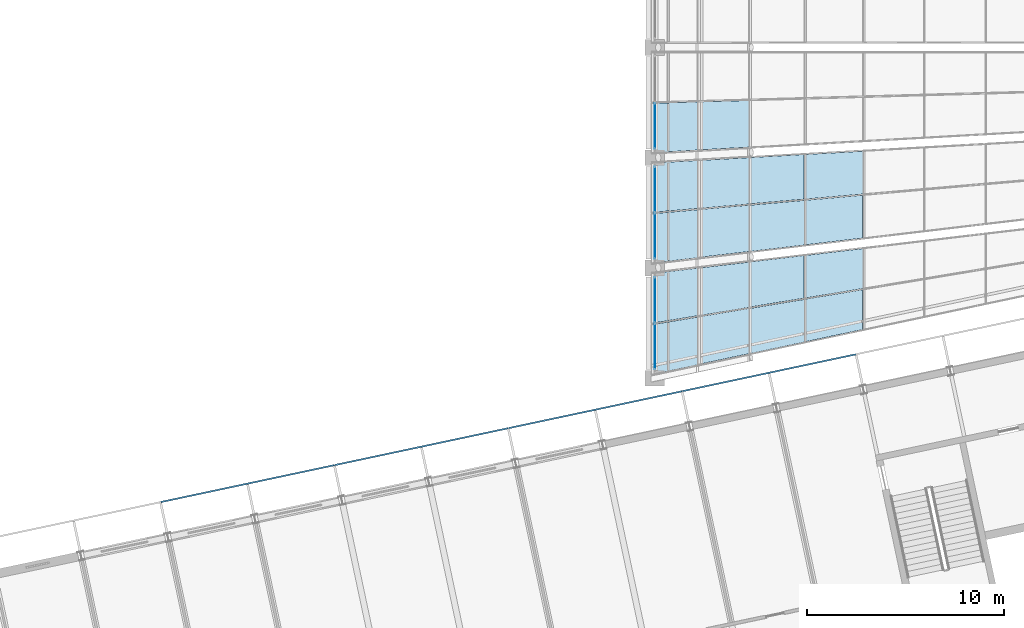
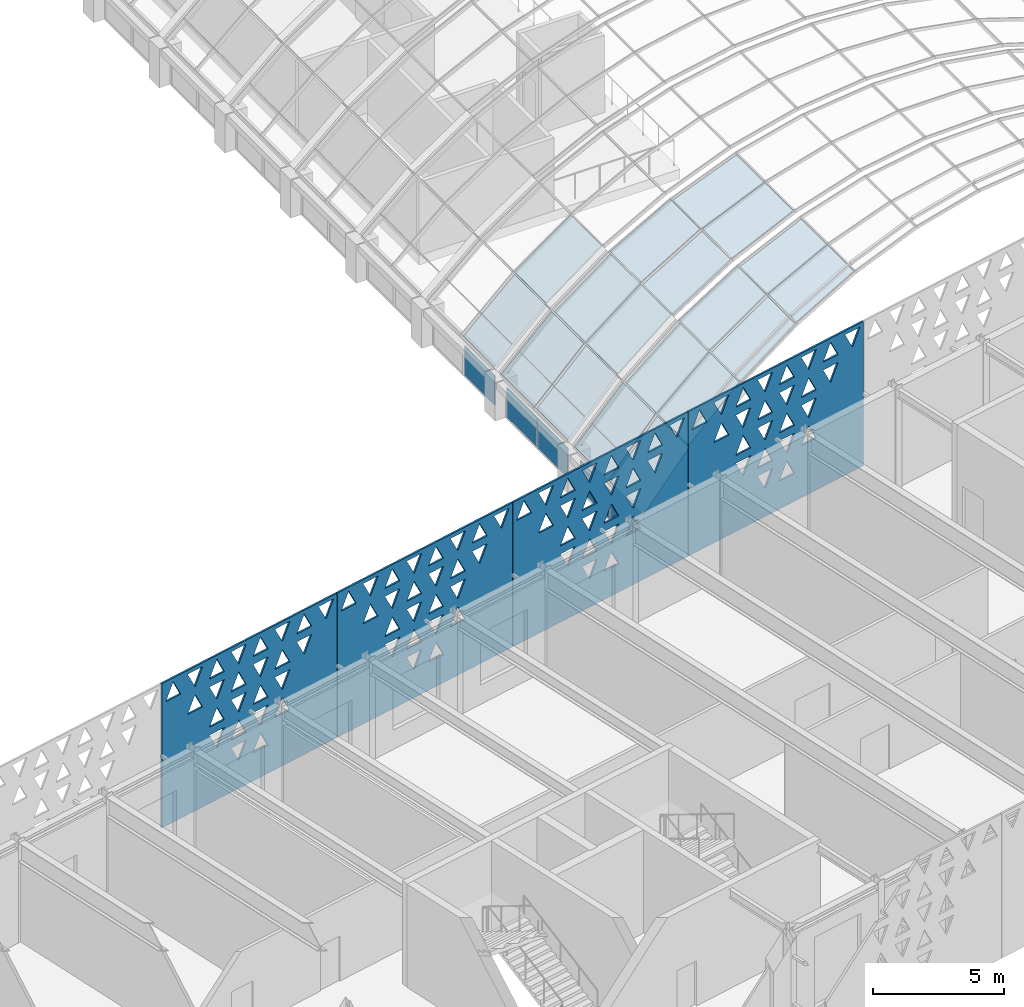
# One storey, part 101 of 182: 27 plates, 6 elements without a shape of their own.
"""IFC4 building model written with IfcOpenShell, lengths in metres."""

import ifcopenshell
import ifcopenshell.guid

model = None  # the IFC model being written
_history = None  # IfcOwnerHistory: only IFC2X3 demands one
_inside = {}  # id of a spatial element -> (the spatial element, [elements in it])
_under = {}  # id of a project, library or spatial element -> (it, [spatial elements below it])
_declared = {}  # id of a project -> (the project, [libraries it declares])
_typed = {}  # id of a type object -> (the type object, [elements of that type])
_made_of = {}  # id of a material, layer set ... -> (it, [elements and type objects made of it])


def new_model(schema):
    """Start an empty IFC model of exactly this schema.

    Asked for "IFC4X3", IfcOpenShell would pick the latest addendum, in which some entities
    have other attributes; the version numbers below select the first issue.
    IFC2X3 requires an IfcOwnerHistory on every rooted entity: one is made here for all.
    """
    global model, _history
    if schema == "IFC4X3":
        model = ifcopenshell.file(schema_version=(4, 3, 0, 0))
    else:
        model = ifcopenshell.file(schema=schema)
    _inside.clear()
    _under.clear()
    _declared.clear()
    _typed.clear()
    _made_of.clear()
    _history = None
    if model.schema == "IFC2X3":
        org = make("IfcOrganization", Name="unknown")
        user = make(
            "IfcPersonAndOrganization",
            ThePerson=make("IfcPerson", FamilyName="unknown"),
            TheOrganization=org,
        )
        app = make(
            "IfcApplication",
            ApplicationDeveloper=org,
            Version="unknown",
            ApplicationFullName="unknown",
            ApplicationIdentifier="unknown",
        )
        _history = make(
            "IfcOwnerHistory",
            OwningUser=user,
            OwningApplication=app,
            ChangeAction="ADDED",
            CreationDate=0,
        )
    return model


def make(cls, **values):
    """One entity of the class cls with the attributes given. An attribute that is None is left unset."""
    return model.create_entity(
        cls, **{name: value for name, value in values.items() if value is not None}
    )


def rooted(cls, **values):
    """An entity with a GlobalId (a new one), such as an element, a storey or a relation."""
    return make(cls, GlobalId=ifcopenshell.guid.new(), OwnerHistory=_history, **values)


def si_unit(unit_type, name, prefix=None):
    """IfcSIUnit, for example si_unit("LENGTHUNIT", "METRE", prefix="MILLI")."""
    return make("IfcSIUnit", UnitType=unit_type, Prefix=prefix, Name=name)


def assignment(units):
    """IfcUnitAssignment: the units of a project."""
    return None if units is None else make("IfcUnitAssignment", Units=units)


def point(xyz):
    """IfcCartesianPoint."""
    return None if xyz is None else make("IfcCartesianPoint", Coordinates=xyz)


def direction(xyz):
    """IfcDirection."""
    return None if xyz is None else make("IfcDirection", DirectionRatios=xyz)


def frame(location, z_axis=None, x_axis=None):
    """IfcAxis2Placement3D, a coordinate frame: its origin and axes. An axis left out is left unset."""
    return make(
        "IfcAxis2Placement3D",
        Location=point(location),
        Axis=direction(z_axis),
        RefDirection=direction(x_axis),
    )


def frame_2d(location, x_axis=None):
    """IfcAxis2Placement2D, a coordinate frame in the plane: its origin and x axis."""
    return make(
        "IfcAxis2Placement2D", Location=point(location), RefDirection=direction(x_axis)
    )


def origin():
    """The frame at (0, 0, 0) with its axes left unset."""
    return frame((0.0, 0.0, 0.0))


def origin_2d():
    """The frame at (0, 0) in the plane with its x axis left unset."""
    return frame_2d((0.0, 0.0))


def place(relative_to, where):
    """IfcLocalPlacement: puts the frame where relative to a parent placement (None: the world)."""
    return make(
        "IfcLocalPlacement", PlacementRelTo=relative_to, RelativePlacement=where
    )


def context(
    kind, dimensions, precision=None, world=None, true_north=None, identifier=None
):
    """IfcGeometricRepresentationContext, for example the 3D "Model" context."""
    return make(
        "IfcGeometricRepresentationContext",
        ContextIdentifier=identifier,
        ContextType=kind,
        CoordinateSpaceDimension=dimensions,
        Precision=precision,
        WorldCoordinateSystem=world,
        TrueNorth=true_north,
    )


def subcontext(parent, identifier, kind, view, scale=None):
    """IfcGeometricRepresentationSubContext, for example "Body" below "Model"."""
    return make(
        "IfcGeometricRepresentationSubContext",
        ContextIdentifier=identifier,
        ContextType=kind,
        ParentContext=parent,
        TargetScale=scale,
        TargetView=view,
    )


def project(units=None, contexts=None):
    """IfcProject with its units and contexts."""
    return rooted(
        "IfcProject",
        Name="project",
        RepresentationContexts=contexts,
        UnitsInContext=assignment(units),
    )


def spatial(cls, under=None, at=None, **own):
    """A site, building, storey or space (cls), placed at a placement, below another one or the project."""
    s = rooted(cls, ObjectPlacement=at, **own)
    if under is not None:
        _under.setdefault(under.id(), (under, []))[1].append(s)
    return s


def polyline(points):
    """IfcPolyline through the points."""
    return make("IfcPolyline", Points=[point(p) for p in points])


def profile(cls, at=None, kind="AREA", **sizes):
    """A parametric profile (cls). Its sizes go by their IFC names, for example OverallWidth=200.0."""
    return make(cls, ProfileType=kind, Position=at, **sizes)


def rectangle(**sizes):
    """IfcRectangleProfileDef."""
    return profile("IfcRectangleProfileDef", **sizes)


def outline(outer, holes=None, kind="AREA"):
    """IfcArbitraryClosedProfileDef: a profile drawn as a closed curve; with holes, ...WithVoids."""
    if holes is None:
        return make("IfcArbitraryClosedProfileDef", ProfileType=kind, OuterCurve=outer)
    return make(
        "IfcArbitraryProfileDefWithVoids",
        ProfileType=kind,
        OuterCurve=outer,
        InnerCurves=holes,
    )


def extrude(swept, where, along, depth):
    """IfcExtrudedAreaSolid: the profile swept, set in the frame where, extruded along a direction by depth."""
    return make(
        "IfcExtrudedAreaSolid",
        SweptArea=swept,
        Position=where,
        ExtrudedDirection=direction(along),
        Depth=depth,
    )


def shape(context_of_items, identifier, shape_type, items):
    """IfcShapeRepresentation: the items that make up one representation, for example the "Body"."""
    return make(
        "IfcShapeRepresentation",
        ContextOfItems=context_of_items,
        RepresentationIdentifier=identifier,
        RepresentationType=shape_type,
        Items=items,
    )


def material(Name=None, Category=None):
    """IfcMaterial."""
    return make("IfcMaterial", Name=Name, Category=Category)


def layer(
    of_material, thickness, ventilated=None, Name=None, Category=None, Priority=None
):
    """IfcMaterialLayer: one layer of a wall or slab, of a material (None: an air gap)."""
    return make(
        "IfcMaterialLayer",
        Material=of_material,
        LayerThickness=thickness,
        IsVentilated=ventilated,
        Name=Name,
        Category=Category,
        Priority=Priority,
    )


def layer_set(layers, Name=None):
    """IfcMaterialLayerSet."""
    return make("IfcMaterialLayerSet", MaterialLayers=layers, LayerSetName=Name)


def made_of(thing, what):
    """Note that an element or type object is made of a material, layer set ...; save() writes the relation."""
    if what is not None:
        _made_of.setdefault(what.id(), (what, []))[1].append(thing)
    return thing


def type_object(cls, material=None, **own):
    """A type object (cls), such as IfcWallType, which elements share."""
    return made_of(rooted(cls, **own), material)


def element(
    cls,
    number,
    at=None,
    inside=None,
    cuts=None,
    type_object=None,
    material=None,
    context=None,
    identifier="Body",
    shape_type=None,
    held_by="IfcProductDefinitionShape",
    body=None,
    shapes=None,
    **own,
):
    """One element of the class cls, such as IfcWall. Its Tag is "e" and its number.

    at: its placement. inside: the storey or other place that contains it. cuts: it is an
    opening in that element (IfcRelVoidsElement). A single representation is given by context,
    identifier, shape_type and body (its items); several are given by shapes. held_by: the class
    of the entity that holds the representations. save() writes the other relations.
    """
    e = rooted(cls, Tag="e%d" % number, ObjectPlacement=at, **own)
    if body is not None:
        shapes = [shape(context, identifier, shape_type, body)]
    if shapes is not None:
        e.Representation = make(held_by, Representations=shapes)
    if inside is not None:
        _inside.setdefault(inside.id(), (inside, []))[1].append(e)
    if cuts is not None:
        rooted(
            "IfcRelVoidsElement", RelatingBuildingElement=cuts, RelatedOpeningElement=e
        )
    if type_object is not None:
        _typed.setdefault(type_object.id(), (type_object, []))[1].append(e)
    return made_of(e, material)


def aggregate(whole, parts):
    """IfcRelAggregates: a whole, such as a stair, and the parts it consists of."""
    return rooted("IfcRelAggregates", RelatingObject=whole, RelatedObjects=parts)


def save(model, path):
    """Write the relations noted so far, then the file.

    IfcRelAggregates (storeys below a building ...), IfcRelContainedInSpatialStructure (elements
    in a storey), IfcRelDefinesByType, IfcRelAssociatesMaterial and IfcRelDeclares: one each for
    every whole, place, type object, material and project.
    """
    for whole, parts in _under.values():
        aggregate(whole, parts)
    for where, things in _inside.values():
        rooted(
            "IfcRelContainedInSpatialStructure",
            RelatedElements=things,
            RelatingStructure=where,
        )
    for kind, things in _typed.values():
        rooted("IfcRelDefinesByType", RelatedObjects=things, RelatingType=kind)
    for what, things in _made_of.values():
        rooted("IfcRelAssociatesMaterial", RelatedObjects=things, RelatingMaterial=what)
    for by, libraries in _declared.values():
        rooted("IfcRelDeclares", RelatingContext=by, RelatedDefinitions=libraries)
    model.write(path)


model = new_model("IFC4")

# Units and contexts
model_context = context("Model", 3, precision=1e-05, world=origin(), true_north=direction((0.0, 1.0)))
body_context = subcontext(model_context, "Body", "Model", "MODEL_VIEW")
ifc_project = project(units=[si_unit("LENGTHUNIT", "METRE"), si_unit("AREAUNIT", "SQUARE_METRE"), si_unit("VOLUMEUNIT", "CUBIC_METRE"), si_unit("PLANEANGLEUNIT", "RADIAN"), si_unit("MASSUNIT", "GRAM", prefix="KILO")], contexts=[model_context])

# Site, building, storey
site_placement = place(None, origin())
site = spatial("IfcSite", under=ifc_project, at=site_placement, CompositionType="ELEMENT")
building_placement = place(site_placement, origin())
building = spatial("IfcBuilding", under=site, at=building_placement, Name="Okhra Congress Centre", CompositionType="ELEMENT")
storey_placement = place(building_placement, frame((0.0, 0.0, 7.199951171875)))
storey = spatial("IfcBuildingStorey", under=building, at=storey_placement, Name="L01", CompositionType="ELEMENT", Elevation=7.199951171875)

# Curtain wall, plates
ifc_material_1 = material(Name="Aluminium curtain wall, triple glazing", Category="aluminium")
curtain_wall_type_1 = type_object("IfcCurtainWallType", Name="Curtain wall 2100 module", PredefinedType="NOTDEFINED", material=ifc_material_1)
curtain_wall_1_placement = place(storey_placement, origin())
curtain_wall_1 = element("IfcCurtainWall", 1, at=curtain_wall_1_placement, inside=storey, type_object=curtain_wall_type_1, Name="West bay 1 clerestory glazing", PredefinedType="NOTDEFINED")
ifc_material_2 = material(Name="Triple glazing unit, low-e coating, argon fill", Category="glass")
ifc_layer_1 = layer(ifc_material_2, 0.028076171875)
ifc_layer_set_1 = layer_set([ifc_layer_1], Name="Curtain wall glazing unit 28")
plate_type_1 = type_object("IfcPlateType", Name="Curtain wall glazing unit 28", PredefinedType="CURTAIN_PANEL", material=ifc_layer_set_1)
plate_1_placement = place(storey_placement, frame((155.5, 75.858154296875, 0.06005859375), z_axis=(0.0, 0.0, 1.0), x_axis=(0.0, 1.0, 0.0)))
plate_1 = element("IfcPlate", 2, at=plate_1_placement, type_object=plate_type_1, Name="CW4 panel 1.1", PredefinedType="CURTAIN_PANEL", context=body_context, shape_type="SweptSolid", body=[
    extrude(rectangle(XDim=2.30224609375, YDim=0.028076171875, at=origin_2d()), origin(), (0.0, 0.0, 1.0), 1.3798828125),
])
plate_2_placement = place(storey_placement, frame((155.5, 78.22021484375, 0.06005859375), z_axis=(0.0, 0.0, 1.0), x_axis=(0.0, 1.0, 0.0)))
plate_2 = element("IfcPlate", 3, at=plate_2_placement, type_object=plate_type_1, Name="CW4 panel 2.1", PredefinedType="CURTAIN_PANEL", context=body_context, shape_type="SweptSolid", body=[
    extrude(rectangle(XDim=2.30224609375, YDim=0.028076171875, at=origin_2d()), origin(), (0.0, 0.0, 1.0), 1.3798828125),
])
aggregate(curtain_wall_1, [plate_1, plate_2])

curtain_wall_2_placement = place(storey_placement, origin())
curtain_wall_2 = element("IfcCurtainWall", 4, at=curtain_wall_2_placement, inside=storey, type_object=curtain_wall_type_1, Name="West bay 2 clerestory glazing", PredefinedType="NOTDEFINED")
plate_3_placement = place(storey_placement, frame((155.5, 81.4423828125, 0.06005859375), z_axis=(0.0, 0.0, 1.0), x_axis=(0.0, 1.0, 0.0)))
plate_3 = element("IfcPlate", 5, at=plate_3_placement, type_object=plate_type_1, Name="CW4 panel 1.1", PredefinedType="CURTAIN_PANEL", context=body_context, shape_type="SweptSolid", body=[
    extrude(rectangle(XDim=2.30224609375, YDim=0.028076171875, at=origin_2d()), origin(), (0.0, 0.0, 1.0), 1.3798828125),
])
plate_4_placement = place(storey_placement, frame((155.5, 83.8046875, 0.06005859375), z_axis=(0.0, 0.0, 1.0), x_axis=(0.0, 1.0, 0.0)))
plate_4 = element("IfcPlate", 6, at=plate_4_placement, type_object=plate_type_1, Name="CW4 panel 2.1", PredefinedType="CURTAIN_PANEL", context=body_context, shape_type="SweptSolid", body=[
    extrude(rectangle(XDim=2.30224609375, YDim=0.028076171875, at=origin_2d()), origin(), (0.0, 0.0, 1.0), 1.3798828125),
])
aggregate(curtain_wall_2, [plate_3, plate_4])

# Curtain wall, plate
curtain_wall_3_placement = place(storey_placement, origin())
curtain_wall_3 = element("IfcCurtainWall", 7, at=curtain_wall_3_placement, inside=storey, type_object=curtain_wall_type_1, Name="West bay 3 clerestory glazing", PredefinedType="NOTDEFINED")
plate_5_placement = place(storey_placement, frame((155.5, 87.02685546875, 0.06005859375), z_axis=(0.0, 0.0, 1.0), x_axis=(0.0, 1.0, 0.0)))
plate_5 = element("IfcPlate", 8, at=plate_5_placement, type_object=plate_type_1, Name="CW4 panel 1.1", PredefinedType="CURTAIN_PANEL", context=body_context, shape_type="SweptSolid", body=[
    extrude(rectangle(XDim=2.30224609375, YDim=0.028076171875, at=origin_2d()), origin(), (0.0, 0.0, 1.0), 1.3798828125),
])
aggregate(curtain_wall_3, [plate_5])

# Curtain wall, plates
ifc_material_3 = material(Name="Aluminium frame with triple glazing", Category="aluminium")
curtain_wall_type_2 = type_object("IfcCurtainWallType", Name="Glazed vault bay curtain wall", PredefinedType="NOTDEFINED", material=ifc_material_3)
curtain_wall_4_placement = place(storey_placement, origin())
curtain_wall_4 = element("IfcCurtainWall", 9, at=curtain_wall_4_placement, inside=storey, type_object=curtain_wall_type_2, Name="Vault glazing bay 1", PredefinedType="NOTDEFINED")
ifc_material_4 = material(Name="Laminated toughened glass unit, low-e coating", Category="glass")
ifc_layer_2 = layer(ifc_material_4, 0.035888671875)
ifc_layer_set_2 = layer_set([ifc_layer_2], Name="Laminated safety glazing unit 36 mm")
plate_type_2 = type_object("IfcPlateType", Name="Laminated safety glazing unit 36 mm", PredefinedType="CURTAIN_PANEL", material=ifc_layer_set_2)
plate_6_placement = place(storey_placement, frame((155.42919921875, 74.451171875, 1.907958984375), z_axis=(-0.663651964383, 0.0, 0.748041489605), x_axis=(0.738753864843, 0.157091339076, 0.655412113381)))
plate_6 = element("IfcPlate", 10, at=plate_6_placement, type_object=plate_type_2, Name="Vault glass panel 1.1.1", PredefinedType="CURTAIN_PANEL", context=body_context, shape_type="SweptSolid", body=[
    extrude(outline(polyline([(0.0, 0.0), (3.1051550748741557, 2.7755575615628914e-17), (3.4843450332341273, 2.383848578986253), (0.39618006168286707, 2.4906600405510266), (0.0, 0.0)])), origin(), (0.0, 0.0, -1.0), 0.035888671875),
])
plate_7_placement = place(storey_placement, frame((157.71533203125, 74.948974609375, 4.05078125), z_axis=(-0.55950430238, 0.0, 0.828827446226), x_axis=(0.816256402242, 0.17350642764, 0.551018153391)))
plate_7 = element("IfcPlate", 11, at=plate_7_placement, type_object=plate_type_2, Name="Vault glass panel 1.1.2", PredefinedType="CURTAIN_PANEL", context=body_context, shape_type="SweptSolid", body=[
    extrude(outline(polyline([(0.0, 0.0), (3.1139088647806448, 0.0), (3.51158424141284, 2.257228938849907), (0.41843176079812827, 2.37504340199823), (0.0, 0.0)])), origin(), (0.0, 0.0, -1.0), 0.035888671875),
])
plate_8_placement = place(storey_placement, frame((155.369384765625, 77.032958984375, 1.97509765625), z_axis=(-0.663696509452, 0.0, 0.748001967472), x_axis=(0.742328502977, 0.122931369799, 0.658662487156)))
plate_8 = element("IfcPlate", 12, at=plate_8_placement, type_object=plate_type_2, Name="Vault glass panel 1.2.1", PredefinedType="CURTAIN_PANEL", context=body_context, shape_type="SweptSolid", body=[
    extrude(outline(polyline([(0.0, 0.0), (3.090202387891453, -2.7755575615628914e-17), (3.38693638525568, 2.3955099680160097), (0.3100295532287313, 2.502843933408049), (0.0, 0.0)])), origin(), (0.0, 0.0, -1.0), 0.035888671875),
])
plate_9_placement = place(storey_placement, frame((157.765869140625, 77.420654296875, 3.976318359375), z_axis=(-0.559449609733, 0.0, 0.828864364157), x_axis=(0.821174313755, 0.135902731976, 0.554259139637)))
plate_9 = element("IfcPlate", 13, at=plate_9_placement, type_object=plate_type_2, Name="Vault glass panel 1.2.2", PredefinedType="CURTAIN_PANEL", context=body_context, shape_type="SweptSolid", body=[
    extrude(outline(polyline([(0.0, 0.0), (3.0952600492975644, 2.7755575615628914e-17), (3.4067480492459388, 2.2707275075290734), (0.32774589513102315, 2.389246518893501), (0.0, 0.0)])), origin(), (0.0, 0.0, -1.0), 0.035888671875),
])

curtain_wall_5_placement = place(storey_placement, origin())
curtain_wall_5 = element("IfcCurtainWall", 14, at=curtain_wall_5_placement, inside=storey, type_object=curtain_wall_type_2, Name="Vault glazing bay 2", PredefinedType="NOTDEFINED")
plate_10_placement = place(storey_placement, frame((155.42919921875, 80.083984375, 1.907958984375), z_axis=(-0.663651964383, 0.0, 0.748041489605), x_axis=(0.745122025647, 0.088263177367, 0.661061856725)))
plate_10 = element("IfcPlate", 15, at=plate_10_placement, type_object=plate_type_2, Name="Vault glass panel 2.1.1", PredefinedType="CURTAIN_PANEL", context=body_context, shape_type="SweptSolid", body=[
    extrude(outline(polyline([(0.0, 0.0), (3.0786169694943464, -1.3877787807814457e-17), (3.293090456881672, 2.4204480786247866), (0.22076568655512416, 2.491458913444282), (0.0, 0.0)])), origin(), (0.0, 0.0, -1.0), 0.035888671875),
])
plate_11_placement = place(storey_placement, frame((157.71533203125, 80.361328125, 4.05078125), z_axis=(-0.55950430238, 0.0, 0.828827446226), x_axis=(0.824856645602, 0.097769004003, 0.556823792651)))
plate_11 = element("IfcPlate", 16, at=plate_11_placement, type_object=plate_type_2, Name="Vault glass panel 2.1.2", PredefinedType="CURTAIN_PANEL", context=body_context, shape_type="SweptSolid", body=[
    extrude(outline(polyline([(0.0, 0.0), (3.0814421638317455, 2.7755575615628914e-17), (3.3111372628353464, 2.338109742074487), (0.2374287799842894, 2.4168323396461524), (0.0, 0.0)])), origin(), (0.0, 0.0, -1.0), 0.035888671875),
])
plate_12_placement = place(storey_placement, frame((155.369384765625, 82.645263671875, 1.97509765625), z_axis=(-0.663696509452, 0.0, 0.748001967472), x_axis=(0.746409429333, 0.065219470145, 0.662283462361)))
plate_12 = element("IfcPlate", 17, at=plate_12_placement, type_object=plate_type_2, Name="Vault glass panel 2.2.1", PredefinedType="CURTAIN_PANEL", context=body_context, shape_type="SweptSolid", body=[
    extrude(outline(polyline([(0.0, 0.0), (3.0733069845471306, 1.3877787807814457e-17), (3.231785838637191, 2.424758179884503), (0.16312828897344236, 2.4958954639723427), (0.0, 0.0)])), origin(), (0.0, 0.0, -1.0), 0.035888671875),
])
plate_13_placement = place(storey_placement, frame((157.765869140625, 82.849853515625, 3.976318359375), z_axis=(-0.559449609733, 0.0, 0.828864364157), x_axis=(0.826702335448, 0.072180618857, 0.557990328613)))
plate_13 = element("IfcPlate", 18, at=plate_13_placement, type_object=plate_type_2, Name="Vault glass panel 2.2.2", PredefinedType="CURTAIN_PANEL", context=body_context, shape_type="SweptSolid", body=[
    extrude(outline(polyline([(0.0, 0.0), (3.0745625576312174, -4.163336342344337e-17), (3.2441411941699982, 2.3432370965225746), (0.1752706140512015, 2.4218888249000865), (0.0, 0.0)])), origin(), (0.0, 0.0, -1.0), 0.035888671875),
])

curtain_wall_6_placement = place(storey_placement, origin())
curtain_wall_6 = element("IfcCurtainWall", 19, at=curtain_wall_6_placement, inside=storey, type_object=curtain_wall_type_2, Name="Vault glazing bay 3", PredefinedType="NOTDEFINED")
plate_14_placement = place(storey_placement, frame((155.42919921875, 85.673583984375, 1.907958984375), z_axis=(-0.663651964383, 0.0, 0.748041489605), x_axis=(0.747381474593, 0.041998448125, 0.663066408281)))
plate_14 = element("IfcPlate", 20, at=plate_14_placement, type_object=plate_type_2, Name="Vault glass panel 3.1.1", PredefinedType="CURTAIN_PANEL", context=body_context, shape_type="SweptSolid", body=[
    extrude(outline(polyline([(0.0, 0.0), (3.0693098377231074, 6.938893903907228e-18), (3.171670801501083, 2.4351054098646765), (0.10506789500479956, 2.4995016663210796), (0.0, 0.0)])), origin(), (0.0, 0.0, -1.0), 0.035888671875),
])
plate_15_placement = place(storey_placement, frame((157.71533203125, 85.80517578125, 4.05078125), z_axis=(-0.55950430238, 0.0, 0.828827446226), x_axis=(0.827926986024, 0.046601211585, 0.558896442011)))
plate_15 = element("IfcPlate", 21, at=plate_15_placement, type_object=plate_type_2, Name="Vault glass panel 3.1.2", PredefinedType="CURTAIN_PANEL", context=body_context, shape_type="SweptSolid", body=[
    extrude(outline(polyline([(0.0, 0.0), (3.0700147353356084, -3.469446951953614e-17), (3.180192013897069, 2.3616892198712502), (0.11351081249563162, 2.433144707420019), (0.0, 0.0)])), origin(), (0.0, 0.0, -1.0), 0.035888671875),
])
aggregate(curtain_wall_6, [plate_14, plate_15])

# Plates
ifc_material_5 = material(Name="Fired clay terracotta rainscreen panel, deep oxide-red glaze, non-combustible", Category="masonry")
ifc_layer_3 = layer(ifc_material_5, 0.080078125)
ifc_layer_set_3 = layer_set([ifc_layer_3], Name="Terracotta screen panel 8980x6720")
plate_type_3 = type_object("IfcPlateType", Name="Terracotta screen panel 8980x6720", PredefinedType="SHEET", material=ifc_layer_set_3)
plate_16_placement = place(storey_placement, frame((165.673583984375, 75.457763671875, 0.010009765625), z_axis=(0.0, 0.0, 1.0), x_axis=(-0.978150766104, -0.207896798366, 0.0)))
element("IfcPlate", 22, at=plate_16_placement, inside=storey, type_object=plate_type_3, Name="Screen panel N7 Tier 1", PredefinedType="SHEET", context=body_context, shape_type="SweptSolid", body=[
    extrude(outline(polyline([(0.0, 0.0), (8.980224609375, 0.0), (8.980224609375, 6.719970703125), (0.0, 6.719970703125), (0.0, 0.0)]), holes=[polyline([(3.536376953125, 1.303955078125), (4.3037109375, 1.303955078125), (3.919921875, 2.05615234375), (3.536376953125, 1.303955078125)]), polyline([(4.656494140625, 2.05615234375), (5.0400390625, 1.303955078125), (5.423583984375, 2.05615234375), (4.656494140625, 2.05615234375)]), polyline([(2.41650390625, 2.423828125), (3.18359375, 2.423828125), (2.800048828125, 3.176025390625), (2.41650390625, 2.423828125)]), polyline([(3.536376953125, 3.176025390625), (3.919921875, 2.423828125), (4.3037109375, 3.176025390625), (3.536376953125, 3.176025390625)]), polyline([(4.656494140625, 2.423828125), (5.423583984375, 2.423828125), (5.0400390625, 3.176025390625), (4.656494140625, 2.423828125)]), polyline([(5.7763671875, 3.176025390625), (6.159912109375, 2.423828125), (6.543701171875, 3.176025390625), (5.7763671875, 3.176025390625)]), polyline([(2.41650390625, 4.296142578125), (2.800048828125, 3.5439453125), (3.18359375, 4.296142578125), (2.41650390625, 4.296142578125)]), polyline([(3.536376953125, 3.5439453125), (4.3037109375, 3.5439453125), (3.919921875, 4.296142578125), (3.536376953125, 3.5439453125)]), polyline([(4.656494140625, 4.296142578125), (5.0400390625, 3.5439453125), (5.423583984375, 4.296142578125), (4.656494140625, 4.296142578125)]), polyline([(5.7763671875, 3.5439453125), (6.543701171875, 3.5439453125), (6.159912109375, 4.296142578125), (5.7763671875, 3.5439453125)]), polyline([(1.29638671875, 5.416015625), (1.679931640625, 4.663818359375), (2.0634765625, 5.416015625), (1.29638671875, 5.416015625)]), polyline([(2.41650390625, 4.663818359375), (3.18359375, 4.663818359375), (2.800048828125, 5.416015625), (2.41650390625, 4.663818359375)]), polyline([(3.536376953125, 5.416015625), (3.919921875, 4.663818359375), (4.3037109375, 5.416015625), (3.536376953125, 5.416015625)]), polyline([(4.656494140625, 4.663818359375), (5.423583984375, 4.663818359375), (5.0400390625, 5.416015625), (4.656494140625, 4.663818359375)]), polyline([(5.7763671875, 5.416015625), (6.159912109375, 4.663818359375), (6.543701171875, 5.416015625), (5.7763671875, 5.416015625)]), polyline([(6.896484375, 4.663818359375), (7.66357421875, 4.663818359375), (7.280029296875, 5.416015625), (6.896484375, 4.663818359375)]), polyline([(0.176513671875, 6.5361328125), (0.56005859375, 5.783935546875), (0.943603515625, 6.5361328125), (0.176513671875, 6.5361328125)]), polyline([(1.29638671875, 5.783935546875), (2.0634765625, 5.783935546875), (1.679931640625, 6.5361328125), (1.29638671875, 5.783935546875)]), polyline([(2.41650390625, 6.5361328125), (2.800048828125, 5.783935546875), (3.18359375, 6.5361328125), (2.41650390625, 6.5361328125)]), polyline([(3.536376953125, 5.783935546875), (4.3037109375, 5.783935546875), (3.919921875, 6.5361328125), (3.536376953125, 5.783935546875)]), polyline([(4.656494140625, 6.5361328125), (5.0400390625, 5.783935546875), (5.423583984375, 6.5361328125), (4.656494140625, 6.5361328125)]), polyline([(5.7763671875, 5.783935546875), (6.543701171875, 5.783935546875), (6.159912109375, 6.5361328125), (5.7763671875, 5.783935546875)]), polyline([(6.896484375, 6.5361328125), (7.280029296875, 5.783935546875), (7.66357421875, 6.5361328125), (6.896484375, 6.5361328125)]), polyline([(8.016357421875, 5.783935546875), (8.78369140625, 5.783935546875), (8.39990234375, 6.5361328125), (8.016357421875, 5.783935546875)])]), frame((0.0, 0.0400390625, 0.0), z_axis=(0.0, -1.0, 0.0), x_axis=(1.0, 0.0, 0.0)), (0.0, 0.0, 1.0), 0.080078125),
])
plate_17_placement = place(storey_placement, frame((156.8701171875, 73.586669921875, 0.010009765625), z_axis=(0.0, 0.0, 1.0), x_axis=(-0.978149591018, -0.207902327047, 0.0)))
element("IfcPlate", 23, at=plate_17_placement, inside=storey, type_object=plate_type_3, Name="Screen panel N8 Tier 1", PredefinedType="SHEET", context=body_context, shape_type="SweptSolid", body=[
    extrude(outline(polyline([(0.0, 0.0), (8.97998046875, 0.0), (8.97998046875, 6.719970703125), (0.0, 6.719970703125), (0.0, 0.0)]), holes=[polyline([(3.536376953125, 1.303955078125), (4.3037109375, 1.303955078125), (3.919921875, 2.05615234375), (3.536376953125, 1.303955078125)]), polyline([(4.656494140625, 2.05615234375), (5.0400390625, 1.303955078125), (5.423583984375, 2.05615234375), (4.656494140625, 2.05615234375)]), polyline([(2.41650390625, 2.423828125), (3.18359375, 2.423828125), (2.800048828125, 3.176025390625), (2.41650390625, 2.423828125)]), polyline([(3.536376953125, 3.176025390625), (3.919921875, 2.423828125), (4.3037109375, 3.176025390625), (3.536376953125, 3.176025390625)]), polyline([(4.656494140625, 2.423828125), (5.423583984375, 2.423828125), (5.0400390625, 3.176025390625), (4.656494140625, 2.423828125)]), polyline([(5.7763671875, 3.176025390625), (6.159912109375, 2.423828125), (6.543701171875, 3.176025390625), (5.7763671875, 3.176025390625)]), polyline([(2.41650390625, 4.296142578125), (2.800048828125, 3.5439453125), (3.18359375, 4.296142578125), (2.41650390625, 4.296142578125)]), polyline([(3.536376953125, 3.5439453125), (4.3037109375, 3.5439453125), (3.919921875, 4.296142578125), (3.536376953125, 3.5439453125)]), polyline([(4.656494140625, 4.296142578125), (5.0400390625, 3.5439453125), (5.423583984375, 4.296142578125), (4.656494140625, 4.296142578125)]), polyline([(5.7763671875, 3.5439453125), (6.543701171875, 3.5439453125), (6.159912109375, 4.296142578125), (5.7763671875, 3.5439453125)]), polyline([(1.29638671875, 5.416015625), (1.679931640625, 4.663818359375), (2.0634765625, 5.416015625), (1.29638671875, 5.416015625)]), polyline([(2.41650390625, 4.663818359375), (3.18359375, 4.663818359375), (2.800048828125, 5.416015625), (2.41650390625, 4.663818359375)]), polyline([(3.536376953125, 5.416015625), (3.919921875, 4.663818359375), (4.3037109375, 5.416015625), (3.536376953125, 5.416015625)]), polyline([(4.656494140625, 4.663818359375), (5.423583984375, 4.663818359375), (5.0400390625, 5.416015625), (4.656494140625, 4.663818359375)]), polyline([(5.7763671875, 5.416015625), (6.159912109375, 4.663818359375), (6.543701171875, 5.416015625), (5.7763671875, 5.416015625)]), polyline([(6.896484375, 4.663818359375), (7.66357421875, 4.663818359375), (7.280029296875, 5.416015625), (6.896484375, 4.663818359375)]), polyline([(0.176513671875, 6.5361328125), (0.56005859375, 5.783935546875), (0.943603515625, 6.5361328125), (0.176513671875, 6.5361328125)]), polyline([(1.29638671875, 5.783935546875), (2.0634765625, 5.783935546875), (1.679931640625, 6.5361328125), (1.29638671875, 5.783935546875)]), polyline([(2.41650390625, 6.5361328125), (2.800048828125, 5.783935546875), (3.18359375, 6.5361328125), (2.41650390625, 6.5361328125)]), polyline([(3.536376953125, 5.783935546875), (4.3037109375, 5.783935546875), (3.919921875, 6.5361328125), (3.536376953125, 5.783935546875)]), polyline([(4.656494140625, 6.5361328125), (5.0400390625, 5.783935546875), (5.423583984375, 6.5361328125), (4.656494140625, 6.5361328125)]), polyline([(5.7763671875, 5.783935546875), (6.543701171875, 5.783935546875), (6.159912109375, 6.5361328125), (5.7763671875, 5.783935546875)]), polyline([(6.896484375, 6.5361328125), (7.280029296875, 5.783935546875), (7.66357421875, 6.5361328125), (6.896484375, 6.5361328125)]), polyline([(8.016357421875, 5.783935546875), (8.78369140625, 5.783935546875), (8.39990234375, 6.5361328125), (8.016357421875, 5.783935546875)])]), frame((0.0, 0.0400390625, 0.0), z_axis=(0.0, -1.0, 0.0), x_axis=(1.0, 0.0, 0.0)), (0.0, 0.0, 1.0), 0.080078125),
])
plate_18_placement = place(storey_placement, frame((148.06689453125, 71.715576171875, 0.010009765625), z_axis=(0.0, 0.0, 1.0), x_axis=(-0.978145237251, -0.207922809819, 0.0)))
element("IfcPlate", 24, at=plate_18_placement, inside=storey, type_object=plate_type_3, Name="Screen panel N9 Tier 1", PredefinedType="SHEET", context=body_context, shape_type="SweptSolid", body=[
    extrude(outline(polyline([(0.0, 0.0), (8.980224609375, 0.0), (8.980224609375, 6.719970703125), (0.0, 6.719970703125), (0.0, 0.0)]), holes=[polyline([(3.536376953125, 1.303955078125), (4.3037109375, 1.303955078125), (3.919921875, 2.05615234375), (3.536376953125, 1.303955078125)]), polyline([(4.656494140625, 2.05615234375), (5.0400390625, 1.303955078125), (5.423583984375, 2.05615234375), (4.656494140625, 2.05615234375)]), polyline([(2.41650390625, 2.423828125), (3.18359375, 2.423828125), (2.800048828125, 3.176025390625), (2.41650390625, 2.423828125)]), polyline([(3.536376953125, 3.176025390625), (3.919921875, 2.423828125), (4.3037109375, 3.176025390625), (3.536376953125, 3.176025390625)]), polyline([(4.656494140625, 2.423828125), (5.423583984375, 2.423828125), (5.0400390625, 3.176025390625), (4.656494140625, 2.423828125)]), polyline([(5.7763671875, 3.176025390625), (6.159912109375, 2.423828125), (6.543701171875, 3.176025390625), (5.7763671875, 3.176025390625)]), polyline([(2.41650390625, 4.296142578125), (2.800048828125, 3.5439453125), (3.18359375, 4.296142578125), (2.41650390625, 4.296142578125)]), polyline([(3.536376953125, 3.5439453125), (4.3037109375, 3.5439453125), (3.919921875, 4.296142578125), (3.536376953125, 3.5439453125)]), polyline([(4.656494140625, 4.296142578125), (5.0400390625, 3.5439453125), (5.423583984375, 4.296142578125), (4.656494140625, 4.296142578125)]), polyline([(5.7763671875, 3.5439453125), (6.543701171875, 3.5439453125), (6.159912109375, 4.296142578125), (5.7763671875, 3.5439453125)]), polyline([(1.29638671875, 5.416015625), (1.679931640625, 4.663818359375), (2.0634765625, 5.416015625), (1.29638671875, 5.416015625)]), polyline([(2.41650390625, 4.663818359375), (3.18359375, 4.663818359375), (2.800048828125, 5.416015625), (2.41650390625, 4.663818359375)]), polyline([(3.536376953125, 5.416015625), (3.919921875, 4.663818359375), (4.3037109375, 5.416015625), (3.536376953125, 5.416015625)]), polyline([(4.656494140625, 4.663818359375), (5.423583984375, 4.663818359375), (5.0400390625, 5.416015625), (4.656494140625, 4.663818359375)]), polyline([(5.7763671875, 5.416015625), (6.159912109375, 4.663818359375), (6.543701171875, 5.416015625), (5.7763671875, 5.416015625)]), polyline([(6.896484375, 4.663818359375), (7.66357421875, 4.663818359375), (7.280029296875, 5.416015625), (6.896484375, 4.663818359375)]), polyline([(0.176513671875, 6.5361328125), (0.56005859375, 5.783935546875), (0.943603515625, 6.5361328125), (0.176513671875, 6.5361328125)]), polyline([(1.29638671875, 5.783935546875), (2.0634765625, 5.783935546875), (1.679931640625, 6.5361328125), (1.29638671875, 5.783935546875)]), polyline([(2.41650390625, 6.5361328125), (2.800048828125, 5.783935546875), (3.18359375, 6.5361328125), (2.41650390625, 6.5361328125)]), polyline([(3.536376953125, 5.783935546875), (4.3037109375, 5.783935546875), (3.919921875, 6.5361328125), (3.536376953125, 5.783935546875)]), polyline([(4.656494140625, 6.5361328125), (5.0400390625, 5.783935546875), (5.423583984375, 6.5361328125), (4.656494140625, 6.5361328125)]), polyline([(5.7763671875, 5.783935546875), (6.543701171875, 5.783935546875), (6.159912109375, 6.5361328125), (5.7763671875, 5.783935546875)]), polyline([(6.896484375, 6.5361328125), (7.280029296875, 5.783935546875), (7.66357421875, 6.5361328125), (6.896484375, 6.5361328125)]), polyline([(8.016357421875, 5.783935546875), (8.78369140625, 5.783935546875), (8.39990234375, 6.5361328125), (8.016357421875, 5.783935546875)])]), frame((0.0, 0.0400390625, 0.0), z_axis=(0.0, -1.0, 0.0), x_axis=(1.0, 0.0, 0.0)), (0.0, 0.0, 1.0), 0.080078125),
])
plate_19_placement = place(storey_placement, frame((139.263427734375, 69.84423828125, 0.010009765625), z_axis=(0.0, 0.0, 1.0), x_axis=(-0.978149591018, -0.207902327047, 0.0)))
element("IfcPlate", 25, at=plate_19_placement, inside=storey, type_object=plate_type_3, Name="Screen panel N10 Tier 1", PredefinedType="SHEET", context=body_context, shape_type="SweptSolid", body=[
    extrude(outline(polyline([(0.0, 0.0), (8.97998046875, 0.0), (8.97998046875, 6.719970703125), (0.0, 6.719970703125), (0.0, 0.0)]), holes=[polyline([(3.536376953125, 1.303955078125), (4.3037109375, 1.303955078125), (3.919921875, 2.05615234375), (3.536376953125, 1.303955078125)]), polyline([(4.656494140625, 2.05615234375), (5.0400390625, 1.303955078125), (5.423583984375, 2.05615234375), (4.656494140625, 2.05615234375)]), polyline([(2.41650390625, 2.423828125), (3.18359375, 2.423828125), (2.800048828125, 3.176025390625), (2.41650390625, 2.423828125)]), polyline([(3.536376953125, 3.176025390625), (3.919921875, 2.423828125), (4.3037109375, 3.176025390625), (3.536376953125, 3.176025390625)]), polyline([(4.656494140625, 2.423828125), (5.423583984375, 2.423828125), (5.0400390625, 3.176025390625), (4.656494140625, 2.423828125)]), polyline([(5.7763671875, 3.176025390625), (6.159912109375, 2.423828125), (6.543701171875, 3.176025390625), (5.7763671875, 3.176025390625)]), polyline([(2.41650390625, 4.296142578125), (2.800048828125, 3.5439453125), (3.18359375, 4.296142578125), (2.41650390625, 4.296142578125)]), polyline([(3.536376953125, 3.5439453125), (4.3037109375, 3.5439453125), (3.919921875, 4.296142578125), (3.536376953125, 3.5439453125)]), polyline([(4.656494140625, 4.296142578125), (5.0400390625, 3.5439453125), (5.423583984375, 4.296142578125), (4.656494140625, 4.296142578125)]), polyline([(5.7763671875, 3.5439453125), (6.543701171875, 3.5439453125), (6.159912109375, 4.296142578125), (5.7763671875, 3.5439453125)]), polyline([(1.29638671875, 5.416015625), (1.679931640625, 4.663818359375), (2.0634765625, 5.416015625), (1.29638671875, 5.416015625)]), polyline([(2.41650390625, 4.663818359375), (3.18359375, 4.663818359375), (2.800048828125, 5.416015625), (2.41650390625, 4.663818359375)]), polyline([(3.536376953125, 5.416015625), (3.919921875, 4.663818359375), (4.3037109375, 5.416015625), (3.536376953125, 5.416015625)]), polyline([(4.656494140625, 4.663818359375), (5.423583984375, 4.663818359375), (5.0400390625, 5.416015625), (4.656494140625, 4.663818359375)]), polyline([(5.7763671875, 5.416015625), (6.159912109375, 4.663818359375), (6.543701171875, 5.416015625), (5.7763671875, 5.416015625)]), polyline([(6.896484375, 4.663818359375), (7.66357421875, 4.663818359375), (7.280029296875, 5.416015625), (6.896484375, 4.663818359375)]), polyline([(0.176513671875, 6.5361328125), (0.56005859375, 5.783935546875), (0.943603515625, 6.5361328125), (0.176513671875, 6.5361328125)]), polyline([(1.29638671875, 5.783935546875), (2.0634765625, 5.783935546875), (1.679931640625, 6.5361328125), (1.29638671875, 5.783935546875)]), polyline([(2.41650390625, 6.5361328125), (2.800048828125, 5.783935546875), (3.18359375, 6.5361328125), (2.41650390625, 6.5361328125)]), polyline([(3.536376953125, 5.783935546875), (4.3037109375, 5.783935546875), (3.919921875, 6.5361328125), (3.536376953125, 5.783935546875)]), polyline([(4.656494140625, 6.5361328125), (5.0400390625, 5.783935546875), (5.423583984375, 6.5361328125), (4.656494140625, 6.5361328125)]), polyline([(5.7763671875, 5.783935546875), (6.543701171875, 5.783935546875), (6.159912109375, 6.5361328125), (5.7763671875, 5.783935546875)]), polyline([(6.896484375, 6.5361328125), (7.280029296875, 5.783935546875), (7.66357421875, 6.5361328125), (6.896484375, 6.5361328125)]), polyline([(8.016357421875, 5.783935546875), (8.78369140625, 5.783935546875), (8.39990234375, 6.5361328125), (8.016357421875, 5.783935546875)])]), frame((0.0, 0.0400390625, 0.0), z_axis=(0.0, -1.0, 0.0), x_axis=(1.0, 0.0, 0.0)), (0.0, 0.0, 1.0), 0.080078125),
])

# Plate
ifc_material_6 = material(Name="Toughened triple glazed unit")
ifc_layer_4 = layer(ifc_material_6, 0.028076171875)
ifc_layer_set_4 = layer_set([ifc_layer_4], Name="Triple glazed unit 28 mm")
plate_type_4 = type_object("IfcPlateType", Name="Triple glazed unit 28 mm", PredefinedType="CURTAIN_PANEL", material=ifc_layer_set_4)
plate_20_placement = place(storey_placement, frame((160.356201171875, 75.500732421875, 5.7158203125), z_axis=(-0.445588482535, 0.0, 0.895237903706), x_axis=(0.879441236787, 0.187026949849, 0.437725977147)))
plate_20 = element("IfcPlate", 26, at=plate_20_placement, type_object=plate_type_4, Name="Vault glass panel 1.1.3", PredefinedType="CURTAIN_PANEL", context=body_context, shape_type="SweptSolid", body=[
    extrude(outline(polyline([(0.0, 0.0), (3.121155720311573, 4.163336342344337e-17), (3.5251631549472737, 2.1220398245964054), (0.428207699142586, 2.2491511612867416), (0.0, 0.0)])), origin(), (0.0, 0.0, -1.0), 0.028076171875),
])

plate_21_placement = place(storey_placement, frame((163.121826171875, 76.09619140625, 7.18798828125), z_axis=(-0.323933419168, 0.0, 0.94607988032), x_axis=(0.927502947369, 0.197194886378, 0.317572762385)))
plate_21 = element("IfcPlate", 27, at=plate_21_placement, type_object=plate_type_4, Name="Vault glass panel 1.1.4", PredefinedType="CURTAIN_PANEL", context=body_context, shape_type="SweptSolid", body=[
    extrude(outline(polyline([(0.0, 0.0), (3.127359081557595, -9.71445146547012e-17), (3.52588917663439, 1.981312437317961), (0.4254421901659384, 2.1151072733243326), (0.0, 0.0)])), origin(), (0.0, 0.0, -1.0), 0.028076171875),
])

plate_22_placement = place(storey_placement, frame((160.316162109375, 77.850341796875, 5.79638671875), z_axis=(-0.445588482535, 0.0, 0.895237903706), x_axis=(0.885567773445, 0.146583796707, 0.440775350013)))
plate_22 = element("IfcPlate", 28, at=plate_22_placement, type_object=plate_type_4, Name="Vault glass panel 1.2.3", PredefinedType="CURTAIN_PANEL", context=body_context, shape_type="SweptSolid", body=[
    extrude(outline(polyline([(0.0, 0.0), (3.0995629348593052, -1.3877787807814457e-17), (3.4162068394653793, 2.136822796136798), (0.3355752592101219, 2.264578137361523), (0.0, 0.0)])), origin(), (0.0, 0.0, -1.0), 0.028076171875),
])

plate_23_placement = place(storey_placement, frame((163.15087890625, 78.313720703125, 7.102783203125), z_axis=(-0.323909017048, 0.0, 0.946088235143), x_axis=(0.934693790648, 0.154733435971, 0.320007939771)))
plate_23 = element("IfcPlate", 29, at=plate_23_placement, type_object=plate_type_4, Name="Vault glass panel 1.2.4", PredefinedType="CURTAIN_PANEL", context=body_context, shape_type="SweptSolid", body=[
    extrude(outline(polyline([(0.0, 0.0), (3.1035606904355957, -5.551115123125783e-17), (3.416276360105093, 1.996655734195536), (0.33387063161862973, 2.131727878572137), (0.0, 0.0)])), origin(), (0.0, 0.0, -1.0), 0.028076171875),
])

aggregate(curtain_wall_4, [plate_6, plate_7, plate_20, plate_21, plate_8, plate_9, plate_22, plate_23])

plate_24_placement = place(storey_placement, frame((160.356201171875, 80.6689453125, 5.7158203125), z_axis=(-0.445588482535, 0.0, 0.895237903706), x_axis=(0.890244644842, 0.105470592095, 0.443103178203)))
plate_24 = element("IfcPlate", 30, at=plate_24_placement, type_object=plate_type_4, Name="Vault glass panel 2.1.3", PredefinedType="CURTAIN_PANEL", context=body_context, shape_type="SweptSolid", body=[
    extrude(outline(polyline([(0.0, 0.0), (3.08327948140895, -1.3877787807814457e-17), (3.3218757964374115, 2.2495893960213666), (0.24760869472411878, 2.3345620151242676), (0.0, 0.0)])), origin(), (0.0, 0.0, -1.0), 0.028076171875),
])

plate_25_placement = place(storey_placement, frame((163.121826171875, 81.000732421875, 7.18798828125), z_axis=(-0.323933419168, 0.0, 0.94607988032), x_axis=(0.940197267265, 0.111342273802, 0.321919239394)))
plate_25 = element("IfcPlate", 31, at=plate_25_placement, type_object=plate_type_4, Name="Vault glass panel 2.1.4", PredefinedType="CURTAIN_PANEL", context=body_context, shape_type="SweptSolid", body=[
    extrude(outline(polyline([(0.0, 0.0), (3.0851342230150802, -1.3877787807814457e-17), (3.3267926248950035, 2.1569148020155993), (0.251688992464141, 2.246442536767428), (0.0, 0.0)])), origin(), (0.0, 0.0, -1.0), 0.028076171875),
])

plate_26_placement = place(storey_placement, frame((160.316162109375, 83.07666015625, 5.79638671875), z_axis=(-0.445588482535, 0.0, 0.895237903706), x_axis=(0.892513584456, 0.077955024454, 0.444232501878)))
plate_26 = element("IfcPlate", 32, at=plate_26_placement, type_object=plate_type_4, Name="Vault glass panel 2.2.3", PredefinedType="CURTAIN_PANEL", context=body_context, shape_type="SweptSolid", body=[
    extrude(outline(polyline([(0.0, 0.0), (3.075441197401416, 3.469446951953614e-17), (3.2517916018423247, 2.2553228565086787), (0.18299256838974043, 2.3402686450821224), (0.0, 0.0)])), origin(), (0.0, 0.0, -1.0), 0.028076171875),
])

plate_27_placement = place(storey_placement, frame((163.15087890625, 83.3212890625, 7.102783203125), z_axis=(-0.323909017048, 0.0, 0.946088235143), x_axis=(0.942879531779, 0.082289688138, 0.322810464171)))
plate_27 = element("IfcPlate", 33, at=plate_27_placement, type_object=plate_type_4, Name="Vault glass panel 2.2.4", PredefinedType="CURTAIN_PANEL", context=body_context, shape_type="SweptSolid", body=[
    extrude(outline(polyline([(0.0, 0.0), (3.076616692247373, 5.204170427930421e-17), (3.2552190671365913, 2.1630491067095727), (0.18601567931375382, 2.2528314599576977), (0.0, 0.0)])), origin(), (0.0, 0.0, -1.0), 0.028076171875),
])

aggregate(curtain_wall_5, [plate_10, plate_11, plate_24, plate_25, plate_12, plate_13, plate_26, plate_27])

save(model, "model.ifc")
